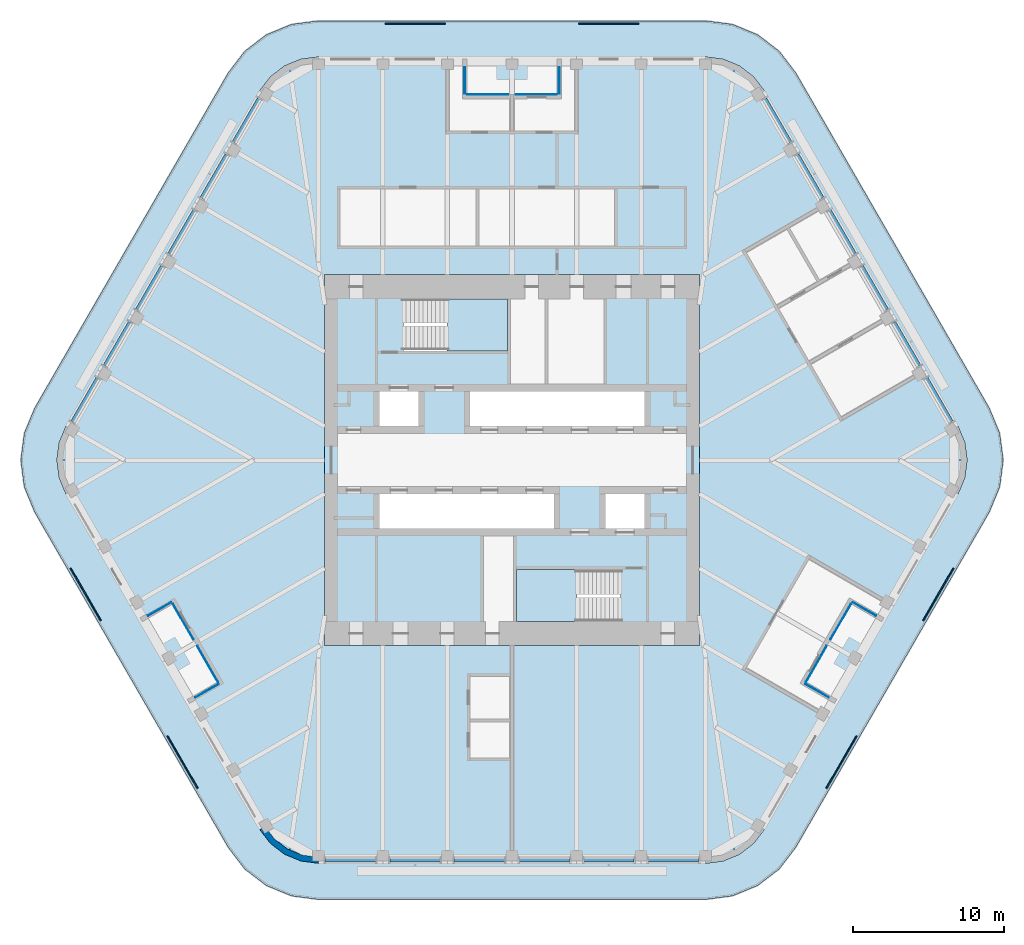
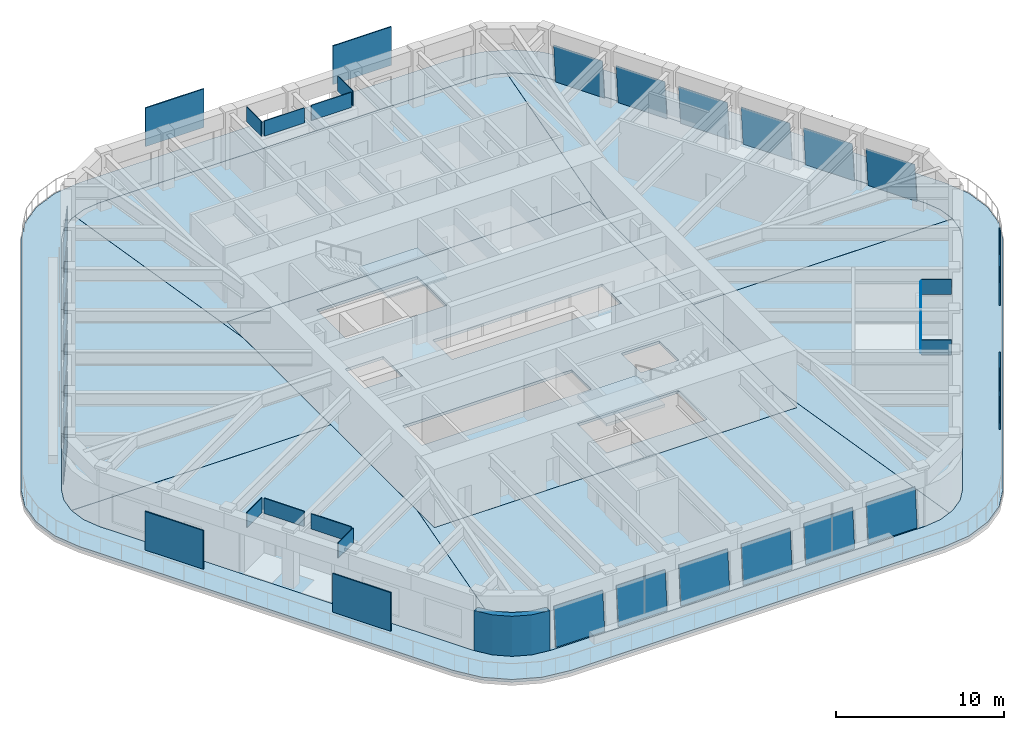
# One storey, part 12 of 19: 36 plates, 10 slabs, 1 wall, 20 elements without a shape of their own.
"""IFC4 building model written with IfcOpenShell, lengths in metres."""

import ifcopenshell
import ifcopenshell.guid

model = None  # the IFC model being written
_history = None  # IfcOwnerHistory: only IFC2X3 demands one
_inside = {}  # id of a spatial element -> (the spatial element, [elements in it])
_under = {}  # id of a project, library or spatial element -> (it, [spatial elements below it])
_declared = {}  # id of a project -> (the project, [libraries it declares])
_typed = {}  # id of a type object -> (the type object, [elements of that type])
_made_of = {}  # id of a material, layer set ... -> (it, [elements and type objects made of it])


def new_model(schema):
    """Start an empty IFC model of exactly this schema.

    Asked for "IFC4X3", IfcOpenShell would pick the latest addendum, in which some entities
    have other attributes; the version numbers below select the first issue.
    IFC2X3 requires an IfcOwnerHistory on every rooted entity: one is made here for all.
    """
    global model, _history
    if schema == "IFC4X3":
        model = ifcopenshell.file(schema_version=(4, 3, 0, 0))
    else:
        model = ifcopenshell.file(schema=schema)
    _inside.clear()
    _under.clear()
    _declared.clear()
    _typed.clear()
    _made_of.clear()
    _history = None
    if model.schema == "IFC2X3":
        org = make("IfcOrganization", Name="unknown")
        user = make(
            "IfcPersonAndOrganization",
            ThePerson=make("IfcPerson", FamilyName="unknown"),
            TheOrganization=org,
        )
        app = make(
            "IfcApplication",
            ApplicationDeveloper=org,
            Version="unknown",
            ApplicationFullName="unknown",
            ApplicationIdentifier="unknown",
        )
        _history = make(
            "IfcOwnerHistory",
            OwningUser=user,
            OwningApplication=app,
            ChangeAction="ADDED",
            CreationDate=0,
        )
    return model


def make(cls, **values):
    """One entity of the class cls with the attributes given. An attribute that is None is left unset."""
    return model.create_entity(
        cls, **{name: value for name, value in values.items() if value is not None}
    )


def rooted(cls, **values):
    """An entity with a GlobalId (a new one), such as an element, a storey or a relation."""
    return make(cls, GlobalId=ifcopenshell.guid.new(), OwnerHistory=_history, **values)


def si_unit(unit_type, name, prefix=None):
    """IfcSIUnit, for example si_unit("LENGTHUNIT", "METRE", prefix="MILLI")."""
    return make("IfcSIUnit", UnitType=unit_type, Prefix=prefix, Name=name)


def assignment(units):
    """IfcUnitAssignment: the units of a project."""
    return None if units is None else make("IfcUnitAssignment", Units=units)


def point(xyz):
    """IfcCartesianPoint."""
    return None if xyz is None else make("IfcCartesianPoint", Coordinates=xyz)


def direction(xyz):
    """IfcDirection."""
    return None if xyz is None else make("IfcDirection", DirectionRatios=xyz)


def frame(location, z_axis=None, x_axis=None):
    """IfcAxis2Placement3D, a coordinate frame: its origin and axes. An axis left out is left unset."""
    return make(
        "IfcAxis2Placement3D",
        Location=point(location),
        Axis=direction(z_axis),
        RefDirection=direction(x_axis),
    )


def frame_2d(location, x_axis=None):
    """IfcAxis2Placement2D, a coordinate frame in the plane: its origin and x axis."""
    return make(
        "IfcAxis2Placement2D", Location=point(location), RefDirection=direction(x_axis)
    )


def origin():
    """The frame at (0, 0, 0) with its axes left unset."""
    return frame((0.0, 0.0, 0.0))


def origin_2d():
    """The frame at (0, 0) in the plane with its x axis left unset."""
    return frame_2d((0.0, 0.0))


def place(relative_to, where):
    """IfcLocalPlacement: puts the frame where relative to a parent placement (None: the world)."""
    return make(
        "IfcLocalPlacement", PlacementRelTo=relative_to, RelativePlacement=where
    )


def context(
    kind, dimensions, precision=None, world=None, true_north=None, identifier=None
):
    """IfcGeometricRepresentationContext, for example the 3D "Model" context."""
    return make(
        "IfcGeometricRepresentationContext",
        ContextIdentifier=identifier,
        ContextType=kind,
        CoordinateSpaceDimension=dimensions,
        Precision=precision,
        WorldCoordinateSystem=world,
        TrueNorth=true_north,
    )


def subcontext(parent, identifier, kind, view, scale=None):
    """IfcGeometricRepresentationSubContext, for example "Body" below "Model"."""
    return make(
        "IfcGeometricRepresentationSubContext",
        ContextIdentifier=identifier,
        ContextType=kind,
        ParentContext=parent,
        TargetScale=scale,
        TargetView=view,
    )


def project(units=None, contexts=None):
    """IfcProject with its units and contexts."""
    return rooted(
        "IfcProject",
        Name="project",
        RepresentationContexts=contexts,
        UnitsInContext=assignment(units),
    )


def spatial(cls, under=None, at=None, **own):
    """A site, building, storey or space (cls), placed at a placement, below another one or the project."""
    s = rooted(cls, ObjectPlacement=at, **own)
    if under is not None:
        _under.setdefault(under.id(), (under, []))[1].append(s)
    return s


def polyline(points):
    """IfcPolyline through the points."""
    return make("IfcPolyline", Points=[point(p) for p in points])


def profile(cls, at=None, kind="AREA", **sizes):
    """A parametric profile (cls). Its sizes go by their IFC names, for example OverallWidth=200.0."""
    return make(cls, ProfileType=kind, Position=at, **sizes)


def rectangle(**sizes):
    """IfcRectangleProfileDef."""
    return profile("IfcRectangleProfileDef", **sizes)


def outline(outer, holes=None, kind="AREA"):
    """IfcArbitraryClosedProfileDef: a profile drawn as a closed curve; with holes, ...WithVoids."""
    if holes is None:
        return make("IfcArbitraryClosedProfileDef", ProfileType=kind, OuterCurve=outer)
    return make(
        "IfcArbitraryProfileDefWithVoids",
        ProfileType=kind,
        OuterCurve=outer,
        InnerCurves=holes,
    )


def extrude(swept, where, along, depth):
    """IfcExtrudedAreaSolid: the profile swept, set in the frame where, extruded along a direction by depth."""
    return make(
        "IfcExtrudedAreaSolid",
        SweptArea=swept,
        Position=where,
        ExtrudedDirection=direction(along),
        Depth=depth,
    )


def shape(context_of_items, identifier, shape_type, items):
    """IfcShapeRepresentation: the items that make up one representation, for example the "Body"."""
    return make(
        "IfcShapeRepresentation",
        ContextOfItems=context_of_items,
        RepresentationIdentifier=identifier,
        RepresentationType=shape_type,
        Items=items,
    )


def material(Name=None, Category=None):
    """IfcMaterial."""
    return make("IfcMaterial", Name=Name, Category=Category)


def layer(
    of_material, thickness, ventilated=None, Name=None, Category=None, Priority=None
):
    """IfcMaterialLayer: one layer of a wall or slab, of a material (None: an air gap)."""
    return make(
        "IfcMaterialLayer",
        Material=of_material,
        LayerThickness=thickness,
        IsVentilated=ventilated,
        Name=Name,
        Category=Category,
        Priority=Priority,
    )


def layer_set(layers, Name=None):
    """IfcMaterialLayerSet."""
    return make("IfcMaterialLayerSet", MaterialLayers=layers, LayerSetName=Name)


def made_of(thing, what):
    """Note that an element or type object is made of a material, layer set ...; save() writes the relation."""
    if what is not None:
        _made_of.setdefault(what.id(), (what, []))[1].append(thing)
    return thing


def type_object(cls, material=None, **own):
    """A type object (cls), such as IfcWallType, which elements share."""
    return made_of(rooted(cls, **own), material)


def element(
    cls,
    number,
    at=None,
    inside=None,
    cuts=None,
    type_object=None,
    material=None,
    context=None,
    identifier="Body",
    shape_type=None,
    held_by="IfcProductDefinitionShape",
    body=None,
    shapes=None,
    **own,
):
    """One element of the class cls, such as IfcWall. Its Tag is "e" and its number.

    at: its placement. inside: the storey or other place that contains it. cuts: it is an
    opening in that element (IfcRelVoidsElement). A single representation is given by context,
    identifier, shape_type and body (its items); several are given by shapes. held_by: the class
    of the entity that holds the representations. save() writes the other relations.
    """
    e = rooted(cls, Tag="e%d" % number, ObjectPlacement=at, **own)
    if body is not None:
        shapes = [shape(context, identifier, shape_type, body)]
    if shapes is not None:
        e.Representation = make(held_by, Representations=shapes)
    if inside is not None:
        _inside.setdefault(inside.id(), (inside, []))[1].append(e)
    if cuts is not None:
        rooted(
            "IfcRelVoidsElement", RelatingBuildingElement=cuts, RelatedOpeningElement=e
        )
    if type_object is not None:
        _typed.setdefault(type_object.id(), (type_object, []))[1].append(e)
    return made_of(e, material)


def aggregate(whole, parts):
    """IfcRelAggregates: a whole, such as a stair, and the parts it consists of."""
    return rooted("IfcRelAggregates", RelatingObject=whole, RelatedObjects=parts)


def save(model, path):
    """Write the relations noted so far, then the file.

    IfcRelAggregates (storeys below a building ...), IfcRelContainedInSpatialStructure (elements
    in a storey), IfcRelDefinesByType, IfcRelAssociatesMaterial and IfcRelDeclares: one each for
    every whole, place, type object, material and project.
    """
    for whole, parts in _under.values():
        aggregate(whole, parts)
    for where, things in _inside.values():
        rooted(
            "IfcRelContainedInSpatialStructure",
            RelatedElements=things,
            RelatingStructure=where,
        )
    for kind, things in _typed.values():
        rooted("IfcRelDefinesByType", RelatedObjects=things, RelatingType=kind)
    for what, things in _made_of.values():
        rooted("IfcRelAssociatesMaterial", RelatedObjects=things, RelatingMaterial=what)
    for by, libraries in _declared.values():
        rooted("IfcRelDeclares", RelatingContext=by, RelatedDefinitions=libraries)
    model.write(path)


model = new_model("IFC4")

# Units and contexts
model_context = context("Model", 3, precision=1e-05, world=origin(), true_north=direction((0.0, 1.0)))
body_context = subcontext(model_context, "Body", "Model", "MODEL_VIEW")
ifc_project = project(units=[si_unit("LENGTHUNIT", "METRE"), si_unit("AREAUNIT", "SQUARE_METRE"), si_unit("VOLUMEUNIT", "CUBIC_METRE"), si_unit("PLANEANGLEUNIT", "RADIAN"), si_unit("MASSUNIT", "GRAM", prefix="KILO")], contexts=[model_context])

# Site, building, storey
site_placement = place(None, origin())
site = spatial("IfcSite", under=ifc_project, at=site_placement, CompositionType="ELEMENT")
building_placement = place(site_placement, origin())
building = spatial("IfcBuilding", under=site, at=building_placement, Name="Tarfa Lantern Tower", CompositionType="ELEMENT")
storey_placement = place(building_placement, frame((0.0, 0.0, 374.5)))
storey = spatial("IfcBuildingStorey", under=building, at=storey_placement, Name="L85", CompositionType="ELEMENT", Elevation=374.5)

# Slab
ifc_material_1 = material(Name="Concrete C40/50", Category="concrete")
ifc_layer_1 = layer(ifc_material_1, 0.199951171875)
ifc_layer_set_1 = layer_set([ifc_layer_1], Name="BS2 BALCONY SLAB 200")
slab_type_1 = type_object("IfcSlabType", Name="BS2 BALCONY SLAB 200", PredefinedType="FLOOR", material=ifc_layer_set_1)
slab_1_placement = place(storey_placement, frame((0.0, 0.0, -0.199951171875)))
element("IfcSlab", 1, at=slab_1_placement, inside=storey, type_object=slab_type_1, Name="Balcony L85", PredefinedType="FLOOR", context=body_context, shape_type="SweptSolid", body=[
    extrude(outline(polyline([(31.667724609375, 3.449951171875), (18.821533203125, 25.699951171875), (17.72509765625, 27.129150390625), (16.296142578125, 28.2255859375), (14.6318359375, 28.914794921875), (12.845947265625, 29.14990234375), (-12.845947265625, 29.14990234375), (-14.6318359375, 28.914794921875), (-16.296142578125, 28.2255859375), (-17.72509765625, 27.129150390625), (-18.821533203125, 25.699951171875), (-31.667724609375, 3.449951171875), (-32.35693359375, 1.785888671875), (-32.592041015625, 0.0), (-32.35693359375, -1.785888671875), (-31.667724609375, -3.449951171875), (-18.821533203125, -25.699951171875), (-17.72509765625, -27.129150390625), (-16.296142578125, -28.2255859375), (-14.6318359375, -28.914794921875), (-12.845947265625, -29.14990234375), (12.845947265625, -29.14990234375), (14.6318359375, -28.914794921875), (16.296142578125, -28.2255859375), (17.72509765625, -27.129150390625), (18.821533203125, -25.699951171875), (31.667724609375, -3.449951171875), (32.35693359375, -1.785888671875), (32.592041015625, 0.0), (32.35693359375, 1.785888671875), (31.667724609375, 3.449951171875)]), holes=[polyline([(29.589111328125, 2.25), (16.7431640625, 24.5), (16.028076171875, 25.431884765625), (15.095947265625, 26.147216796875), (14.0107421875, 26.5966796875), (12.845947265625, 26.75), (-12.845947265625, 26.75), (-14.0107421875, 26.5966796875), (-15.095947265625, 26.147216796875), (-16.028076171875, 25.431884765625), (-16.7431640625, 24.5), (-29.589111328125, 2.25), (-30.038818359375, 1.164794921875), (-30.192138671875, 0.0), (-30.038818359375, -1.164794921875), (-29.589111328125, -2.25), (-16.7431640625, -24.5), (-16.028076171875, -25.431884765625), (-15.095947265625, -26.147216796875), (-14.0107421875, -26.5966796875), (-12.845947265625, -26.75), (12.845947265625, -26.75), (14.0107421875, -26.5966796875), (15.095947265625, -26.147216796875), (16.028076171875, -25.431884765625), (16.7431640625, -24.5), (29.589111328125, -2.25), (30.038818359375, -1.164794921875), (30.192138671875, 0.0), (30.038818359375, 1.164794921875), (29.589111328125, 2.25)])]), origin(), (0.0, 0.0, 1.0), 0.199951171875),
])

# Curtain wall, plate
ifc_material_2 = material(Name="Aluminium framed curtain wall", Category="aluminium")
curtain_wall_type = type_object("IfcCurtainWallType", Name="CW4 CANTED GLAZING EXECUTIVE ZONE 2900", PredefinedType="USERDEFINED", material=ifc_material_2)
curtain_wall_1_placement = place(storey_placement, origin())
curtain_wall_1 = element("IfcCurtainWall", 2, at=curtain_wall_1_placement, inside=storey, type_object=curtain_wall_type, Name="CW4 NE L85", ObjectType="CURTAIN WALL", PredefinedType="USERDEFINED")
ifc_material_3 = material(Name="Laminated double glazing", Category="glass")
ifc_layer_2 = layer(ifc_material_3, 0.028076171875)
ifc_layer_set_2 = layer_set([ifc_layer_2], Name="CWP1 DOUBLE GLAZED PANEL")
plate_type_1 = type_object("IfcPlateType", Name="CWP1 DOUBLE GLAZED PANEL", PredefinedType="CURTAIN_PANEL", material=ifc_layer_set_2)
plate_1_placement = place(storey_placement, frame((29.27001953125, 2.602783203125, 0.0), z_axis=(0.862824338891, 0.498153070644, 0.085893413165), x_axis=(-0.500001024438, 0.866024812323, 1.558248e-06)))
plate_1 = element("IfcPlate", 3, at=plate_1_placement, type_object=plate_type_1, Name="CW4 panel 1.1", PredefinedType="CURTAIN_PANEL", context=body_context, shape_type="SweptSolid", body=[
    extrude(outline(polyline([(0.0, 0.0), (3.3519389773641266, 0.0), (3.3520626532439772, 2.845471633170458), (-8.775595909493566e-05, 2.845482118555973), (0.0, 0.0)])), origin(), (0.0, 0.0, -1.0), 0.028076171875),
])
aggregate(curtain_wall_1, [plate_1])

curtain_wall_2_placement = place(storey_placement, origin())
curtain_wall_2 = element("IfcCurtainWall", 4, at=curtain_wall_2_placement, inside=storey, type_object=curtain_wall_type, Name="CW4 NE L85", ObjectType="CURTAIN WALL", PredefinedType="USERDEFINED")
plate_2_placement = place(storey_placement, frame((27.129150390625, 6.31103515625, 0.0), z_axis=(0.862824338891, 0.498153070644, 0.085893413165), x_axis=(-0.500001024438, 0.866024812323, 1.558248e-06)))
plate_2 = element("IfcPlate", 5, at=plate_2_placement, type_object=plate_type_1, Name="CW4 panel 1.1", PredefinedType="CURTAIN_PANEL", context=body_context, shape_type="SweptSolid", body=[
    extrude(outline(polyline([(0.0, 0.0), (3.3519389773641266, 0.0), (3.3520626532439772, 2.845471633170458), (-8.775595909493566e-05, 2.845482118555973), (0.0, 0.0)])), origin(), (0.0, 0.0, -1.0), 0.028076171875),
])
aggregate(curtain_wall_2, [plate_2])

curtain_wall_3_placement = place(storey_placement, origin())
curtain_wall_3 = element("IfcCurtainWall", 6, at=curtain_wall_3_placement, inside=storey, type_object=curtain_wall_type, Name="CW4 NE L85", ObjectType="CURTAIN WALL", PredefinedType="USERDEFINED")
plate_3_placement = place(storey_placement, frame((24.988037109375, 10.019287109375, 0.0), z_axis=(0.862824338891, 0.498153070644, 0.085893413165), x_axis=(-0.500000791762, 0.866024946659, -1.55815e-06)))
plate_3 = element("IfcPlate", 7, at=plate_3_placement, type_object=plate_type_1, Name="CW4 panel 1.1", PredefinedType="CURTAIN_PANEL", context=body_context, shape_type="SweptSolid", body=[
    extrude(outline(polyline([(0.0, 0.0), (3.352150409219471, -1.3877787807814457e-17), (3.3520537527119685, 2.8454821182675554), (0.00011477536424000705, 2.8454716335433905), (0.0, 0.0)])), origin(), (0.0, 0.0, -1.0), 0.028076171875),
])
aggregate(curtain_wall_3, [plate_3])

curtain_wall_4_placement = place(storey_placement, origin())
curtain_wall_4 = element("IfcCurtainWall", 8, at=curtain_wall_4_placement, inside=storey, type_object=curtain_wall_type, Name="CW4 NE L85", ObjectType="CURTAIN WALL", PredefinedType="USERDEFINED")
plate_4_placement = place(storey_placement, frame((22.84716796875, 13.727783203125, 0.0), z_axis=(0.862824338891, 0.498153070644, 0.085893413165), x_axis=(-0.500001024438, 0.866024812323, 1.558248e-06)))
plate_4 = element("IfcPlate", 9, at=plate_4_placement, type_object=plate_type_1, Name="CW4 panel 1.1", PredefinedType="CURTAIN_PANEL", context=body_context, shape_type="SweptSolid", body=[
    extrude(outline(polyline([(0.0, 0.0), (3.3519389773641266, 0.0), (3.3520626532439772, 2.845471633170458), (-8.775595909493566e-05, 2.845482118555973), (0.0, 0.0)])), origin(), (0.0, 0.0, -1.0), 0.028076171875),
])
aggregate(curtain_wall_4, [plate_4])

curtain_wall_5_placement = place(storey_placement, origin())
curtain_wall_5 = element("IfcCurtainWall", 10, at=curtain_wall_5_placement, inside=storey, type_object=curtain_wall_type, Name="CW4 NE L85", ObjectType="CURTAIN WALL", PredefinedType="USERDEFINED")
plate_5_placement = place(storey_placement, frame((20.7060546875, 17.43603515625, 0.0), z_axis=(0.862824338891, 0.498153070644, 0.085893413165), x_axis=(-0.500001024438, 0.866024812323, 1.558248e-06)))
plate_5 = element("IfcPlate", 11, at=plate_5_placement, type_object=plate_type_1, Name="CW4 panel 1.1", PredefinedType="CURTAIN_PANEL", context=body_context, shape_type="SweptSolid", body=[
    extrude(outline(polyline([(0.0, 0.0), (3.3519389773641266, 0.0), (3.3520626532439772, 2.845471633170458), (-8.775595909493566e-05, 2.845482118555973), (0.0, 0.0)])), origin(), (0.0, 0.0, -1.0), 0.028076171875),
])
aggregate(curtain_wall_5, [plate_5])

curtain_wall_6_placement = place(storey_placement, origin())
curtain_wall_6 = element("IfcCurtainWall", 12, at=curtain_wall_6_placement, inside=storey, type_object=curtain_wall_type, Name="CW4 NE L85", ObjectType="CURTAIN WALL", PredefinedType="USERDEFINED")
plate_6_placement = place(storey_placement, frame((18.56494140625, 21.144287109375, 0.0), z_axis=(0.862842802272, 0.498127447642, 0.08585653425), x_axis=(-0.499973277303, 0.866040831581, -4.255243e-06)))
plate_6 = element("IfcPlate", 13, at=plate_6_placement, type_object=plate_type_1, Name="CW4 panel 1.1", PredefinedType="CURTAIN_PANEL", context=body_context, shape_type="SweptSolid", body=[
    extrude(outline(polyline([(0.0, 0.0), (3.3520283456378226, -2.7755575615628914e-17), (3.3519162760379397, 2.845482113502138), (-2.2697638389446947e-05, 2.8454534807665), (0.0, 0.0)])), origin(), (0.0, 0.0, -1.0), 0.028076171875),
])
aggregate(curtain_wall_6, [plate_6])

curtain_wall_7_placement = place(storey_placement, origin())
curtain_wall_7 = element("IfcCurtainWall", 14, at=curtain_wall_7_placement, inside=storey, type_object=curtain_wall_type, Name="CW4 NW L85", ObjectType="CURTAIN WALL", PredefinedType="USERDEFINED")
plate_7_placement = place(storey_placement, frame((-16.88916015625, 24.04736328125, 0.0), z_axis=(-0.862842802272, 0.498127447642, 0.08585653425), x_axis=(-0.499973277303, -0.866040831581, 4.255243e-06)))
plate_7 = element("IfcPlate", 15, at=plate_7_placement, type_object=plate_type_1, Name="CW4 panel 1.1", PredefinedType="CURTAIN_PANEL", context=body_context, shape_type="SweptSolid", body=[
    extrude(outline(polyline([(0.0, 0.0), (3.3520283456378226, 2.7755575615628914e-17), (3.3520510432762123, 2.8454534807665), (0.00011206959988298927, 2.845482113502138), (0.0, 0.0)])), origin(), (0.0, 0.0, -1.0), 0.028076171875),
])
aggregate(curtain_wall_7, [plate_7])

curtain_wall_8_placement = place(storey_placement, origin())
curtain_wall_8 = element("IfcCurtainWall", 16, at=curtain_wall_8_placement, inside=storey, type_object=curtain_wall_type, Name="CW4 NW L85", ObjectType="CURTAIN WALL", PredefinedType="USERDEFINED")
plate_8_placement = place(storey_placement, frame((-19.030029296875, 20.3388671875, 0.0), z_axis=(-0.862824338891, 0.498153070644, 0.085893413165), x_axis=(-0.500001024438, -0.866024812323, -1.558248e-06)))
plate_8 = element("IfcPlate", 17, at=plate_8_placement, type_object=plate_type_1, Name="CW4 panel 1.1", PredefinedType="CURTAIN_PANEL", context=body_context, shape_type="SweptSolid", body=[
    extrude(outline(polyline([(0.0, 0.0), (3.3519389773641266, 0.0), (3.3520267333232217, 2.845482118555973), (-0.0001236758798510584, 2.845471633170458), (0.0, 0.0)])), origin(), (0.0, 0.0, -1.0), 0.028076171875),
])
aggregate(curtain_wall_8, [plate_8])

curtain_wall_9_placement = place(storey_placement, origin())
curtain_wall_9 = element("IfcCurtainWall", 18, at=curtain_wall_9_placement, inside=storey, type_object=curtain_wall_type, Name="CW4 NW L85", ObjectType="CURTAIN WALL", PredefinedType="USERDEFINED")
plate_9_placement = place(storey_placement, frame((-21.171142578125, 16.630615234375, 0.0), z_axis=(-0.862824338891, 0.498153070644, 0.085893413165), x_axis=(-0.500001024438, -0.866024812323, -1.558248e-06)))
plate_9 = element("IfcPlate", 19, at=plate_9_placement, type_object=plate_type_1, Name="CW4 panel 1.1", PredefinedType="CURTAIN_PANEL", context=body_context, shape_type="SweptSolid", body=[
    extrude(outline(polyline([(0.0, 0.0), (3.3519389773641266, 0.0), (3.3520267333232217, 2.845482118555973), (-0.0001236758798510584, 2.845471633170458), (0.0, 0.0)])), origin(), (0.0, 0.0, -1.0), 0.028076171875),
])
aggregate(curtain_wall_9, [plate_9])

curtain_wall_10_placement = place(storey_placement, origin())
curtain_wall_10 = element("IfcCurtainWall", 20, at=curtain_wall_10_placement, inside=storey, type_object=curtain_wall_type, Name="CW4 NW L85", ObjectType="CURTAIN WALL", PredefinedType="USERDEFINED")
plate_10_placement = place(storey_placement, frame((-23.31201171875, 12.92236328125, 0.0), z_axis=(-0.862824338891, 0.498153070644, 0.085893413165), x_axis=(-0.500000791762, -0.866024946659, 1.55815e-06)))
plate_10 = element("IfcPlate", 21, at=plate_10_placement, type_object=plate_type_1, Name="CW4 panel 1.1", PredefinedType="CURTAIN_PANEL", context=body_context, shape_type="SweptSolid", body=[
    extrude(outline(polyline([(0.0, 0.0), (3.352150409219471, 1.3877787807814457e-17), (3.352035633855231, 2.8454716335433905), (9.665650750279393e-05, 2.8454821182675554), (0.0, 0.0)])), origin(), (0.0, 0.0, -1.0), 0.028076171875),
])
aggregate(curtain_wall_10, [plate_10])

curtain_wall_11_placement = place(storey_placement, origin())
curtain_wall_11 = element("IfcCurtainWall", 22, at=curtain_wall_11_placement, inside=storey, type_object=curtain_wall_type, Name="CW4 NW L85", ObjectType="CURTAIN WALL", PredefinedType="USERDEFINED")
plate_11_placement = place(storey_placement, frame((-25.453125, 9.2138671875, 0.0), z_axis=(-0.862824338891, 0.498153070644, 0.085893413165), x_axis=(-0.500001024438, -0.866024812323, -1.558248e-06)))
plate_11 = element("IfcPlate", 23, at=plate_11_placement, type_object=plate_type_1, Name="CW4 panel 1.1", PredefinedType="CURTAIN_PANEL", context=body_context, shape_type="SweptSolid", body=[
    extrude(outline(polyline([(0.0, 0.0), (3.3519389773641266, 0.0), (3.3520267333232217, 2.845482118555973), (-0.0001236758798510584, 2.845471633170458), (0.0, 0.0)])), origin(), (0.0, 0.0, -1.0), 0.028076171875),
])
aggregate(curtain_wall_11, [plate_11])

curtain_wall_12_placement = place(storey_placement, origin())
curtain_wall_12 = element("IfcCurtainWall", 24, at=curtain_wall_12_placement, inside=storey, type_object=curtain_wall_type, Name="CW4 NW L85", ObjectType="CURTAIN WALL", PredefinedType="USERDEFINED")
plate_12_placement = place(storey_placement, frame((-27.593994140625, 5.505615234375, 0.0), z_axis=(-0.862824338891, 0.498153070644, 0.085893413165), x_axis=(-0.500001024438, -0.866024812323, -1.558248e-06)))
plate_12 = element("IfcPlate", 25, at=plate_12_placement, type_object=plate_type_1, Name="CW4 panel 1.1", PredefinedType="CURTAIN_PANEL", context=body_context, shape_type="SweptSolid", body=[
    extrude(outline(polyline([(0.0, 0.0), (3.3519389773641266, 0.0), (3.3520267333232217, 2.845482118555973), (-0.0001236758798510584, 2.845471633170458), (0.0, 0.0)])), origin(), (0.0, 0.0, -1.0), 0.028076171875),
])
aggregate(curtain_wall_12, [plate_12])

curtain_wall_13_placement = place(storey_placement, origin())
curtain_wall_13 = element("IfcCurtainWall", 26, at=curtain_wall_13_placement, inside=storey, type_object=curtain_wall_type, Name="CW4 S L85", ObjectType="CURTAIN WALL", PredefinedType="USERDEFINED")
plate_13_placement = place(storey_placement, frame((-12.381103515625, -26.64990234375, 0.0), z_axis=(0.0, -0.996305022141, 0.085885405371), x_axis=(1.0, 0.0, 0.0)))
plate_13 = element("IfcPlate", 27, at=plate_13_placement, type_object=plate_type_1, Name="CW4 panel 1.1", PredefinedType="CURTAIN_PANEL", context=body_context, shape_type="SweptSolid", body=[
    extrude(outline(polyline([(0.0, 0.0), (3.35205078125, 0.0), (3.35205078125, 2.8454749042682606), (0.0, 2.8454749042682606), (0.0, 0.0)])), origin(), (0.0, 0.0, -1.0), 0.028076171875),
])
aggregate(curtain_wall_13, [plate_13])

curtain_wall_14_placement = place(storey_placement, origin())
curtain_wall_14 = element("IfcCurtainWall", 28, at=curtain_wall_14_placement, inside=storey, type_object=curtain_wall_type, Name="CW4 S L85", ObjectType="CURTAIN WALL", PredefinedType="USERDEFINED")
plate_14_placement = place(storey_placement, frame((-8.09912109375, -26.64990234375, 0.0), z_axis=(0.0, -0.996305022141, 0.085885405371), x_axis=(1.0, 0.0, 0.0)))
plate_14 = element("IfcPlate", 29, at=plate_14_placement, type_object=plate_type_1, Name="CW4 panel 1.1", PredefinedType="CURTAIN_PANEL", context=body_context, shape_type="SweptSolid", body=[
    extrude(outline(polyline([(0.0, 0.0), (3.35205078125, 0.0), (3.35205078125, 2.8454749042682606), (0.0, 2.8454749042682606), (0.0, 0.0)])), origin(), (0.0, 0.0, -1.0), 0.028076171875),
])
aggregate(curtain_wall_14, [plate_14])

curtain_wall_15_placement = place(storey_placement, origin())
curtain_wall_15 = element("IfcCurtainWall", 30, at=curtain_wall_15_placement, inside=storey, type_object=curtain_wall_type, Name="CW4 S L85", ObjectType="CURTAIN WALL", PredefinedType="USERDEFINED")
plate_15_placement = place(storey_placement, frame((-3.81689453125, -26.64990234375, 0.0), z_axis=(0.0, -0.996305022141, 0.085885405371), x_axis=(1.0, 0.0, 0.0)))
plate_15 = element("IfcPlate", 31, at=plate_15_placement, type_object=plate_type_1, Name="CW4 panel 1.1", PredefinedType="CURTAIN_PANEL", context=body_context, shape_type="SweptSolid", body=[
    extrude(outline(polyline([(0.0, 0.0), (3.351806640625, 0.0), (3.351806640625, 2.8454749042682606), (0.0, 2.8454749042682606), (0.0, 0.0)])), origin(), (0.0, 0.0, -1.0), 0.028076171875),
])
aggregate(curtain_wall_15, [plate_15])

curtain_wall_16_placement = place(storey_placement, origin())
curtain_wall_16 = element("IfcCurtainWall", 32, at=curtain_wall_16_placement, inside=storey, type_object=curtain_wall_type, Name="CW4 S L85", ObjectType="CURTAIN WALL", PredefinedType="USERDEFINED")
plate_16_placement = place(storey_placement, frame((0.465087890625, -26.64990234375, 0.0), z_axis=(0.0, -0.996305022141, 0.085885405371), x_axis=(1.0, 0.0, 0.0)))
plate_16 = element("IfcPlate", 33, at=plate_16_placement, type_object=plate_type_1, Name="CW4 panel 1.1", PredefinedType="CURTAIN_PANEL", context=body_context, shape_type="SweptSolid", body=[
    extrude(outline(polyline([(0.0, 0.0), (3.351806640625, 0.0), (3.351806640625, 2.8454749042682606), (0.0, 2.8454749042682606), (0.0, 0.0)])), origin(), (0.0, 0.0, -1.0), 0.028076171875),
])
aggregate(curtain_wall_16, [plate_16])

curtain_wall_17_placement = place(storey_placement, origin())
curtain_wall_17 = element("IfcCurtainWall", 34, at=curtain_wall_17_placement, inside=storey, type_object=curtain_wall_type, Name="CW4 S L85", ObjectType="CURTAIN WALL", PredefinedType="USERDEFINED")
plate_17_placement = place(storey_placement, frame((4.7470703125, -26.64990234375, 0.0), z_axis=(0.0, -0.996305022141, 0.085885405371), x_axis=(1.0, 0.0, 0.0)))
plate_17 = element("IfcPlate", 35, at=plate_17_placement, type_object=plate_type_1, Name="CW4 panel 1.1", PredefinedType="CURTAIN_PANEL", context=body_context, shape_type="SweptSolid", body=[
    extrude(outline(polyline([(0.0, 0.0), (3.35205078125, 0.0), (3.35205078125, 2.8454749042682606), (0.0, 2.8454749042682606), (0.0, 0.0)])), origin(), (0.0, 0.0, -1.0), 0.028076171875),
])
aggregate(curtain_wall_17, [plate_17])

curtain_wall_18_placement = place(storey_placement, origin())
curtain_wall_18 = element("IfcCurtainWall", 36, at=curtain_wall_18_placement, inside=storey, type_object=curtain_wall_type, Name="CW4 S L85", ObjectType="CURTAIN WALL", PredefinedType="USERDEFINED")
plate_18_placement = place(storey_placement, frame((9.029052734375, -26.64990234375, 0.0), z_axis=(0.0, -0.996305022141, 0.085885405371), x_axis=(1.0, 0.0, 0.0)))
plate_18 = element("IfcPlate", 37, at=plate_18_placement, type_object=plate_type_1, Name="CW4 panel 1.1", PredefinedType="CURTAIN_PANEL", context=body_context, shape_type="SweptSolid", body=[
    extrude(outline(polyline([(0.0, 0.0), (3.35205078125, 0.0), (3.35205078125, 2.8454749042682606), (0.0, 2.8454749042682606), (0.0, 0.0)])), origin(), (0.0, 0.0, -1.0), 0.028076171875),
])
aggregate(curtain_wall_18, [plate_18])

# Slabs
ifc_layer_3 = layer(ifc_material_1, 0.199951171875)
ifc_layer_set_3 = layer_set([ifc_layer_3], Name="FS1 FLOOR SLAB 200")
slab_type_2 = type_object("IfcSlabType", Name="FS1 FLOOR SLAB 200", PredefinedType="FLOOR", material=ifc_layer_set_3)
slab_2_placement = place(storey_placement, frame((0.0, 0.0, -0.199951171875)))
element("IfcSlab", 38, at=slab_2_placement, inside=storey, type_object=slab_type_2, Name="Floor slab L85", PredefinedType="FLOOR", context=body_context, shape_type="SweptSolid", body=[
    extrude(outline(polyline([(-12.425048828125, -12.300048828125), (12.425048828125, -12.300048828125), (12.425048828125, 12.300048828125), (-12.425048828125, 12.300048828125), (-12.425048828125, -12.300048828125)]), holes=[polyline([(-8.800048828125, 2.25), (-6.199951171875, 2.25), (-6.199951171875, 4.550048828125), (-8.800048828125, 4.550048828125), (-8.800048828125, 2.25)]), polyline([(-2.800048828125, 2.25), (8.800048828125, 2.25), (8.800048828125, 4.550048828125), (-2.800048828125, 4.550048828125), (-2.800048828125, 2.25)]), polyline([(8.800048828125, -2.25), (6.199951171875, -2.25), (6.199951171875, -4.550048828125), (8.800048828125, -4.550048828125), (8.800048828125, -2.25)]), polyline([(2.800048828125, -2.25), (-8.800048828125, -2.25), (-8.800048828125, -4.550048828125), (2.800048828125, -4.550048828125), (2.800048828125, -2.25)]), polyline([(-7.199951171875, 7.25), (-0.300048828125, 7.25), (-0.300048828125, 10.699951171875), (-7.199951171875, 10.699951171875), (-7.199951171875, 7.25)]), polyline([(7.199951171875, -7.25), (0.300048828125, -7.25), (0.300048828125, -10.699951171875), (7.199951171875, -10.699951171875), (7.199951171875, -7.25)])]), origin(), (0.0, 0.0, 1.0), 0.199951171875),
])
slab_3_placement = place(storey_placement, frame((0.0, 0.0, -0.199951171875)))
element("IfcSlab", 39, at=slab_3_placement, inside=storey, type_object=slab_type_2, Name="Floor slab L85 NE bay", PredefinedType="FLOOR", context=body_context, shape_type="SweptSolid", body=[
    extrude(outline(polyline([(29.58740234375, 2.2490234375), (16.741455078125, 24.498779296875), (16.026611328125, 25.4306640625), (15.094970703125, 26.145263671875), (14.802001953125, 26.2666015625), (12.427001953125, 10.2998046875), (12.427001953125, 0.001953125), (30.189697265625, 0.001953125), (30.036865234375, 1.1640625), (29.58740234375, 2.2490234375)])), origin(), (0.0, 0.0, 1.0), 0.199951171875),
])
slab_4_placement = place(storey_placement, frame((0.0, 0.0, -0.199951171875)))
element("IfcSlab", 40, at=slab_4_placement, inside=storey, type_object=slab_type_2, Name="Floor slab L85 N bay", PredefinedType="FLOOR", context=body_context, shape_type="SweptSolid", body=[
    extrude(outline(polyline([(-12.427001953125, 10.3271484375), (-12.427001953125, 12.302001953125), (12.427001953125, 12.302001953125), (12.427001953125, 10.3271484375), (14.79833984375, 26.268310546875), (14.01025390625, 26.5947265625), (12.845947265625, 26.748046875), (-12.845947265625, 26.748046875), (-14.01025390625, 26.5947265625), (-14.79833984375, 26.268310546875), (-12.427001953125, 10.3271484375)])), origin(), (0.0, 0.0, 1.0), 0.199951171875),
])
slab_5_placement = place(storey_placement, frame((0.0, 0.0, -0.199951171875)))
element("IfcSlab", 41, at=slab_5_placement, inside=storey, type_object=slab_type_2, Name="Floor slab L85 NW bay", PredefinedType="FLOOR", context=body_context, shape_type="SweptSolid", body=[
    extrude(outline(polyline([(-12.427001953125, 0.001953125), (-12.427001953125, 10.2998046875), (-14.802001953125, 26.2666015625), (-15.094970703125, 26.145263671875), (-16.026611328125, 25.4306640625), (-16.741455078125, 24.498779296875), (-29.58740234375, 2.2490234375), (-30.036865234375, 1.1640625), (-30.189697265625, 0.001953125), (-12.427001953125, 0.001953125)])), origin(), (0.0, 0.0, 1.0), 0.199951171875),
])
slab_6_placement = place(storey_placement, frame((0.0, 0.0, -0.199951171875)))
element("IfcSlab", 42, at=slab_6_placement, inside=storey, type_object=slab_type_2, Name="Floor slab L85 SW bay", PredefinedType="FLOOR", context=body_context, shape_type="SweptSolid", body=[
    extrude(outline(polyline([(-12.427001953125, -10.2998046875), (-12.427001953125, -0.001953125), (-30.189697265625, -0.001953125), (-30.036865234375, -1.1640625), (-29.58740234375, -2.2490234375), (-16.741455078125, -24.498779296875), (-16.026611328125, -25.4306640625), (-15.094970703125, -26.145263671875), (-14.802001953125, -26.2666015625), (-12.427001953125, -10.2998046875)])), origin(), (0.0, 0.0, 1.0), 0.199951171875),
])
slab_7_placement = place(storey_placement, frame((0.0, 0.0, -0.199951171875)))
element("IfcSlab", 43, at=slab_7_placement, inside=storey, type_object=slab_type_2, Name="Floor slab L85 S bay", PredefinedType="FLOOR", context=body_context, shape_type="SweptSolid", body=[
    extrude(outline(polyline([(12.427001953125, -10.3271484375), (12.427001953125, -12.302001953125), (-12.427001953125, -12.302001953125), (-12.427001953125, -10.3271484375), (-14.79833984375, -26.268310546875), (-14.01025390625, -26.5947265625), (-12.845947265625, -26.748046875), (12.845947265625, -26.748046875), (14.01025390625, -26.5947265625), (14.79833984375, -26.268310546875), (12.427001953125, -10.3271484375)])), origin(), (0.0, 0.0, 1.0), 0.199951171875),
])
slab_8_placement = place(storey_placement, frame((0.0, 0.0, -0.199951171875)))
element("IfcSlab", 44, at=slab_8_placement, inside=storey, type_object=slab_type_2, Name="Floor slab L85 SE bay", PredefinedType="FLOOR", context=body_context, shape_type="SweptSolid", body=[
    extrude(outline(polyline([(12.427001953125, -0.001953125), (12.427001953125, -10.2998046875), (14.802001953125, -26.2666015625), (15.094970703125, -26.145263671875), (16.026611328125, -25.4306640625), (16.741455078125, -24.498779296875), (29.58740234375, -2.2490234375), (30.036865234375, -1.1640625), (30.189697265625, -0.001953125), (12.427001953125, -0.001953125)])), origin(), (0.0, 0.0, 1.0), 0.199951171875),
])

# Plates
ifc_material_4 = material(Name="Aluminium fascia panel", Category="aluminium")
ifc_layer_4 = layer(ifc_material_4, 0.050048828125)
ifc_layer_set_4 = layer_set([ifc_layer_4], Name="LF1 LOGGIA HEAD FASCIA 50")
plate_type_2 = type_object("IfcPlateType", Name="LF1 LOGGIA HEAD FASCIA 50", PredefinedType="USERDEFINED", material=ifc_layer_set_4)
for number, where, z_axis, x_axis, name in (
    (45, (1.615966796875, 24.25, 2.89990234375), (0.0, 0.0, 1.0), (-1.0, 0.0, 0.0), "Terrace head fascia N"),
    (46, (-1.615966796875, 24.25, 2.89990234375), (0.0, 0.0, 1.0), (-1.0, 0.0, 0.0), "Terrace head fascia N"),
):
    element("IfcPlate", number, at=place(storey_placement, frame(where, z_axis=z_axis, x_axis=x_axis)), inside=storey, type_object=plate_type_2, Name=name, ObjectType="FASCIA", PredefinedType="USERDEFINED", context=body_context, shape_type="SweptSolid", body=[
        extrude(rectangle(XDim=2.73193359375, YDim=0.050048828125, at=origin_2d()), origin(), (0.0, 0.0, 1.0), 1.10009765625),
    ])
for number, where, z_axis, x_axis, name in (
    (47, (3.132080078125, 25.18505859375, 2.89990234375), (0.0, 0.0, 1.0), (0.0, -1.0, 0.0), "Terrace head fascia N"),
    (48, (-3.132080078125, 25.18505859375, 2.89990234375), (0.0, 0.0, 1.0), (0.0, -1.0, 0.0), "Terrace head fascia N"),
):
    element("IfcPlate", number, at=place(storey_placement, frame(where, z_axis=z_axis, x_axis=x_axis)), inside=storey, type_object=plate_type_2, Name=name, ObjectType="FASCIA", PredefinedType="USERDEFINED", context=body_context, shape_type="SweptSolid", body=[
        extrude(rectangle(XDim=1.77001953125, YDim=0.050048828125, at=origin_2d()), origin(), (0.0, 0.0, 1.0), 1.10009765625),
    ])
for number, where, z_axis, x_axis, name in (
    (49, (-21.80908203125, -10.7255859375, 2.89990234375), (0.0, 0.0, 1.0), (0.5, -0.866025403784, 0.0), "Terrace head fascia SW"),
    (50, (-20.193115234375, -13.5244140625, 2.89990234375), (0.0, 0.0, 1.0), (0.5, -0.866025403784, 0.0), "Terrace head fascia SW"),
):
    element("IfcPlate", number, at=place(storey_placement, frame(where, z_axis=z_axis, x_axis=x_axis)), inside=storey, type_object=plate_type_2, Name=name, ObjectType="FASCIA", PredefinedType="USERDEFINED", context=body_context, shape_type="SweptSolid", body=[
        extrude(rectangle(XDim=2.73193359375, YDim=0.050048828125, at=origin_2d()), origin(), (0.0, 0.0, 1.0), 1.10009765625),
    ])
for number, where, z_axis, x_axis, name in (
    (51, (-23.376953125, -9.880126953125, 2.89990234375), (0.0, 0.0, 1.0), (0.866025403784, 0.5, 0.0), "Terrace head fascia SW"),
    (52, (-20.244873046875, -15.304931640625, 2.89990234375), (0.0, 0.0, 1.0), (0.866025403784, 0.5, 0.0), "Terrace head fascia SW"),
):
    element("IfcPlate", number, at=place(storey_placement, frame(where, z_axis=z_axis, x_axis=x_axis)), inside=storey, type_object=plate_type_2, Name=name, ObjectType="FASCIA", PredefinedType="USERDEFINED", context=body_context, shape_type="SweptSolid", body=[
        extrude(rectangle(XDim=1.77001953125, YDim=0.050048828125, at=origin_2d()), origin(), (0.0, 0.0, 1.0), 1.10009765625),
    ])
for number, where, z_axis, x_axis, name in (
    (53, (20.193115234375, -13.5244140625, 2.89990234375), (0.0, 0.0, 1.0), (0.5, 0.866025403784, 0.0), "Terrace head fascia SE"),
    (54, (21.80908203125, -10.7255859375, 2.89990234375), (0.0, 0.0, 1.0), (0.5, 0.866025403784, 0.0), "Terrace head fascia SE"),
):
    element("IfcPlate", number, at=place(storey_placement, frame(where, z_axis=z_axis, x_axis=x_axis)), inside=storey, type_object=plate_type_2, Name=name, ObjectType="FASCIA", PredefinedType="USERDEFINED", context=body_context, shape_type="SweptSolid", body=[
        extrude(rectangle(XDim=2.73193359375, YDim=0.050048828125, at=origin_2d()), origin(), (0.0, 0.0, 1.0), 1.10009765625),
    ])
for number, where, z_axis, x_axis, name in (
    (55, (20.244873046875, -15.304931640625, 2.89990234375), (0.0, 0.0, 1.0), (-0.866025403784, 0.5, 0.0), "Terrace head fascia SE"),
    (56, (23.376953125, -9.880126953125, 2.89990234375), (0.0, 0.0, 1.0), (-0.866025403784, 0.5, 0.0), "Terrace head fascia SE"),
):
    element("IfcPlate", number, at=place(storey_placement, frame(where, z_axis=z_axis, x_axis=x_axis)), inside=storey, type_object=plate_type_2, Name=name, ObjectType="FASCIA", PredefinedType="USERDEFINED", context=body_context, shape_type="SweptSolid", body=[
        extrude(rectangle(XDim=1.77001953125, YDim=0.050048828125, at=origin_2d()), origin(), (0.0, 0.0, 1.0), 1.10009765625),
    ])
ifc_material_5 = material(Name="Perforated limestone screen", Category="masonry")
ifc_layer_5 = layer(ifc_material_5, 0.080078125)
ifc_layer_set_5 = layer_set([ifc_layer_5], Name="SC1 STONE SCREEN 80")
plate_type_3 = type_object("IfcPlateType", Name="SC1 STONE SCREEN 80", PredefinedType="USERDEFINED", material=ifc_layer_set_5)
for number, where, z_axis, x_axis, name in (
    (57, (6.423095703125, 28.949951171875, 1.2001953125), (0.0, 0.0, 1.0), (-1.0, 0.0, 0.0), "Stone screen N 1"),
    (58, (-6.423095703125, 28.949951171875, 1.2001953125), (0.0, 0.0, 1.0), (-1.0, 0.0, 0.0), "Stone screen N 2"),
    (59, (-28.282958984375, -8.91259765625, 1.2001953125), (0.0, 0.0, 1.0), (0.5, -0.866025403784, 0.0), "Stone screen SW 1"),
    (60, (-21.85986328125, -20.03759765625, 1.2001953125), (0.0, 0.0, 1.0), (0.5, -0.866025403784, 0.0), "Stone screen SW 2"),
    (61, (21.85986328125, -20.03759765625, 1.2001953125), (0.0, 0.0, 1.0), (0.5, 0.866025403784, 0.0), "Stone screen SE 1"),
    (62, (28.282958984375, -8.91259765625, 1.2001953125), (0.0, 0.0, 1.0), (0.5, 0.866025403784, 0.0), "Stone screen SE 2"),
):
    element("IfcPlate", number, at=place(storey_placement, frame(where, z_axis=z_axis, x_axis=x_axis)), inside=storey, type_object=plate_type_3, Name=name, ObjectType="SCREEN", PredefinedType="USERDEFINED", context=body_context, shape_type="SweptSolid", body=[
        extrude(rectangle(XDim=4.0, YDim=0.080078125, at=origin_2d()), origin(), (0.0, 0.0, 1.0), 2.800048828125),
    ])

# Stair, slab
stair_type = type_object("IfcStairType", Name="ST-T10 HALF-TURN STAIR 4200 RISE", PredefinedType="HALF_TURN_STAIR", material=ifc_material_1)
stair_1_placement = place(storey_placement, origin())
stair_1 = element("IfcStair", 63, at=stair_1_placement, inside=storey, type_object=stair_type, Name="Stair ST1", PredefinedType="HALF_TURN_STAIR")
ifc_layer_6 = layer(ifc_material_1, 0.199951171875)
ifc_layer_set_6 = layer_set([ifc_layer_6], Name="SL1 STAIR LANDING 200")
slab_type_3 = type_object("IfcSlabType", Name="SL1 STAIR LANDING 200", PredefinedType="LANDING", material=ifc_layer_set_6)
slab_9_placement = place(storey_placement, frame((0.0, 0.0, 1.89990234375)))
slab_9 = element("IfcSlab", 64, at=slab_9_placement, type_object=slab_type_3, Name="ST1 landing 1", PredefinedType="LANDING", context=body_context, shape_type="SweptSolid", body=[
    extrude(outline(polyline([(-4.320068359375, 7.25), (-0.300048828125, 7.25), (-0.300048828125, 10.699951171875), (-4.320068359375, 10.699951171875), (-4.320068359375, 7.25)])), origin(), (0.0, 0.0, 1.0), 0.2001953125),
])
aggregate(stair_1, [slab_9])

stair_2_placement = place(storey_placement, origin())
stair_2 = element("IfcStair", 65, at=stair_2_placement, inside=storey, type_object=stair_type, Name="Stair ST2", PredefinedType="HALF_TURN_STAIR")
slab_10_placement = place(storey_placement, frame((0.0, 0.0, 1.89990234375)))
slab_10 = element("IfcSlab", 66, at=slab_10_placement, type_object=slab_type_3, Name="ST2 landing 1", PredefinedType="LANDING", context=body_context, shape_type="SweptSolid", body=[
    extrude(outline(polyline([(4.320068359375, -7.25), (0.300048828125, -7.25), (0.300048828125, -10.699951171875), (4.320068359375, -10.699951171875), (4.320068359375, -7.25)])), origin(), (0.0, 0.0, 1.0), 0.2001953125),
])
aggregate(stair_2, [slab_10])

# Wall
ifc_material_6 = material(Name="Limestone cladding on blockwork", Category="masonry")
ifc_layer_7 = layer(ifc_material_6, 0.39990234375)
ifc_layer_set_7 = layer_set([ifc_layer_7], Name="EW2 CURVED STONE CORNER 400")
wall_type = type_object("IfcWallType", Name="EW2 CURVED STONE CORNER 400", PredefinedType="SOLIDWALL", material=ifc_layer_set_7)
wall_placement = place(storey_placement, origin())
element("IfcWall", 67, at=wall_placement, inside=storey, type_object=wall_type, Name="Stone corner SW-S", PredefinedType="SOLIDWALL", context=body_context, shape_type="SweptSolid", body=[
    extrude(outline(polyline([(-16.7431640625, -24.5), (-16.028076171875, -25.431884765625), (-15.095947265625, -26.147216796875), (-14.0107421875, -26.5966796875), (-12.845947265625, -26.75), (-12.845947265625, -26.35009765625), (-13.9072265625, -26.210205078125), (-14.89599609375, -25.80078125), (-15.7451171875, -25.149169921875), (-16.396728515625, -24.300048828125), (-16.7431640625, -24.5)])), origin(), (0.0, 0.0, 1.0), 2.89990234375),
])

save(model, "model.ifc")
